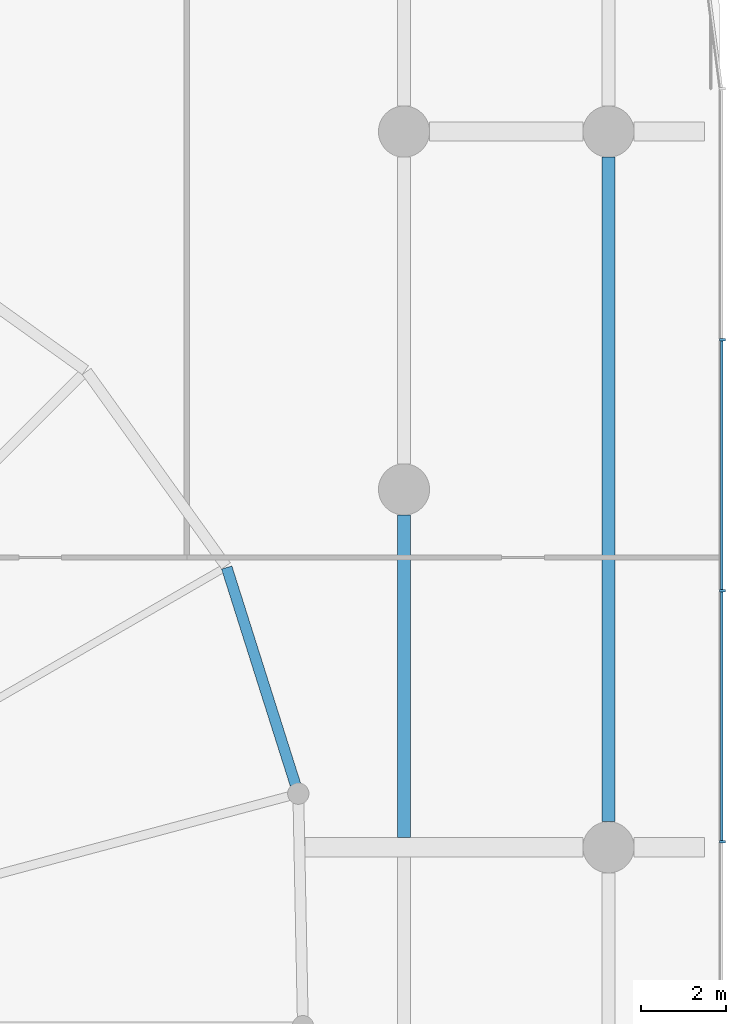
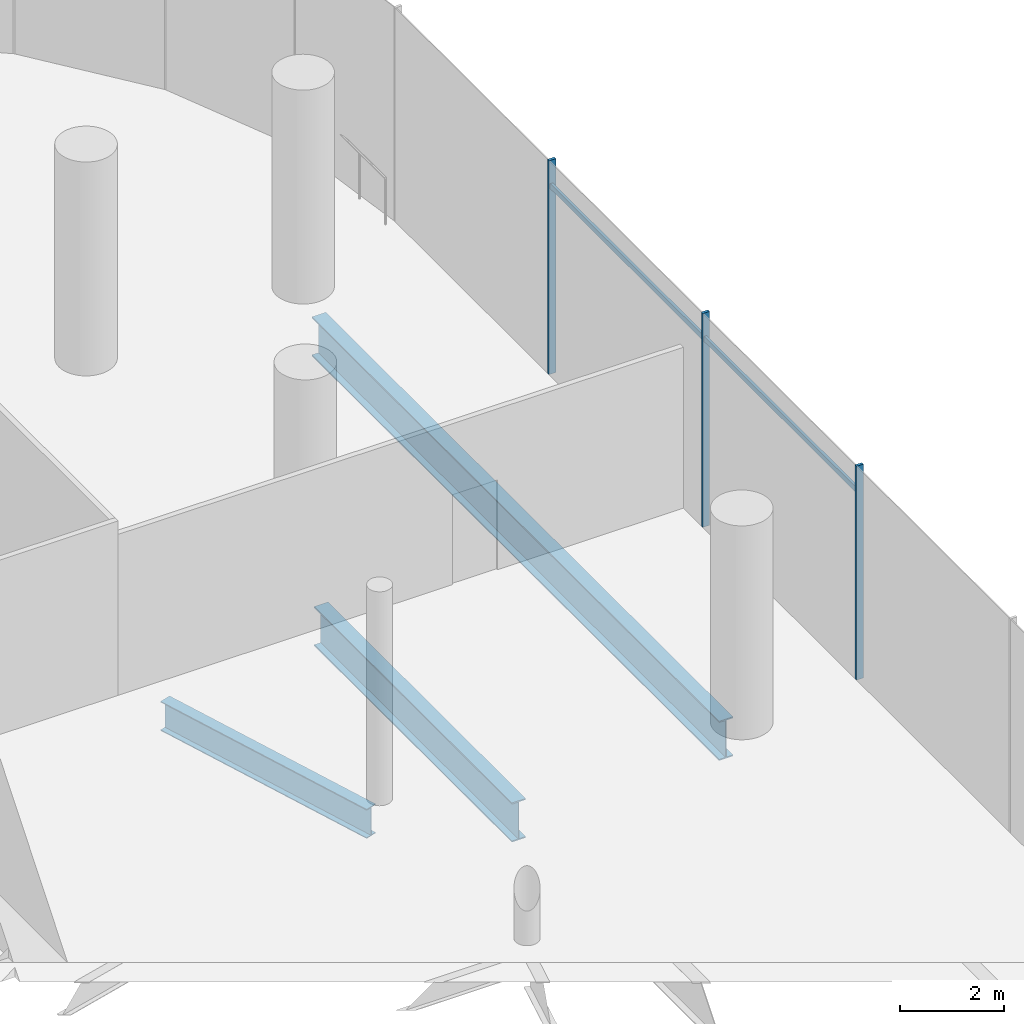
# One storey, part 21 of 51: 5 members, 3 beams, 1 element without a shape of its own.
"""IFC4 building model written with IfcOpenShell, lengths in metres."""

from ifc_helpers import new_model, si_unit, direction, frame, origin, origin_2d, place, context, subcontext, project, spatial, rectangle, i_section, extrude, material, material_profile, profile_set, type_object, element, aggregate, save


model = new_model("IFC4")

# Units and contexts
model_context = context("Model", 3, precision=1e-05, world=origin(), true_north=direction((0.0, 1.0)))
body_context = subcontext(model_context, "Body", "Model", "MODEL_VIEW")
ifc_project = project(units=[si_unit("LENGTHUNIT", "METRE"), si_unit("AREAUNIT", "SQUARE_METRE"), si_unit("VOLUMEUNIT", "CUBIC_METRE"), si_unit("PLANEANGLEUNIT", "RADIAN"), si_unit("MASSUNIT", "GRAM", prefix="KILO")], contexts=[model_context])

# Site, building, storey
site_placement = place(None, origin())
site = spatial("IfcSite", under=ifc_project, at=site_placement, CompositionType="ELEMENT")
building_placement = place(site_placement, origin())
building = spatial("IfcBuilding", under=site, at=building_placement, Name="Rimbun Link Towers", CompositionType="ELEMENT")
storey_placement = place(building_placement, frame((0.0, 0.0, 7.0)))
storey = spatial("IfcBuildingStorey", under=building, at=storey_placement, Name="L01", CompositionType="ELEMENT", Elevation=7.0)

# Curtain wall, members
ifc_material_1 = material(Name="Aluminium 6063-T6 and low-iron glass", Category="aluminium")
curtain_wall_type = type_object("IfcCurtainWallType", Name="CW3 podium shopfront", PredefinedType="NOTDEFINED", material=ifc_material_1)
curtain_wall_placement = place(storey_placement, origin())
curtain_wall = element("IfcCurtainWall", 1, at=curtain_wall_placement, inside=storey, type_object=curtain_wall_type, Name="CW3 L01 PD", PredefinedType="NOTDEFINED")
ifc_material_2 = material(Name="Aluminium 6063-T6", Category="aluminium")
ifc_material_profile_1 = material_profile(ifc_material_2, rectangle(XDim=0.14990234375, YDim=0.06005859375, at=origin_2d()), Name="MULLION 60X150")
ifc_profile_set_1 = profile_set([ifc_material_profile_1], Name="Aluminium 6063-T6")
member_type_1 = type_object("IfcMemberType", Name="CW3 mullion 60X150", PredefinedType="MULLION", material=ifc_profile_set_1)
member_1_placement = place(storey_placement, frame((62.074951171875, 4.333251953125, 0.0), z_axis=(0.0, 0.0, 1.0), x_axis=(1.0, 0.0, 0.0)))
member_1 = element("IfcMember", 2, at=member_1_placement, type_object=member_type_1, Name="CW3 mullion", PredefinedType="MULLION", context=body_context, shape_type="SweptSolid", body=[
    extrude(rectangle(XDim=0.14990234375, YDim=0.06005859375, at=origin_2d()), origin(), (0.0, 0.0, 1.0), 5.0),
])
member_2_placement = place(storey_placement, frame((62.074951171875, 10.22216796875, 0.0), z_axis=(0.0, 0.0, 1.0), x_axis=(1.0, 0.0, 0.0)))
member_2 = element("IfcMember", 3, at=member_2_placement, type_object=member_type_1, Name="CW3 mullion", PredefinedType="MULLION", context=body_context, shape_type="SweptSolid", body=[
    extrude(rectangle(XDim=0.14990234375, YDim=0.06005859375, at=origin_2d()), origin(), (0.0, 0.0, 1.0), 5.0),
])
member_3_placement = place(storey_placement, frame((62.074951171875, 16.111083984375, 0.0), z_axis=(0.0, 0.0, 1.0), x_axis=(1.0, 0.0, 0.0)))
member_3 = element("IfcMember", 4, at=member_3_placement, type_object=member_type_1, Name="CW3 mullion", PredefinedType="MULLION", context=body_context, shape_type="SweptSolid", body=[
    extrude(rectangle(XDim=0.14990234375, YDim=0.06005859375, at=origin_2d()), origin(), (0.0, 0.0, 1.0), 5.0),
])
ifc_material_3 = material(Name="Aluminium 6063-T6", Category="aluminium")
ifc_material_profile_2 = material_profile(ifc_material_3, rectangle(XDim=0.06005859375, YDim=0.1201171875, at=origin_2d()), Name="TRANSOM 60X120")
ifc_profile_set_2 = profile_set([ifc_material_profile_2], Name="Aluminium 6063-T6")
member_type_2 = type_object("IfcMemberType", Name="CW3 transom 60X120", PredefinedType="USERDEFINED", material=ifc_profile_set_2)
member_4_placement = place(storey_placement, frame((62.053955078125, 10.192138671875, 4.39990234375), z_axis=(0.0, -1.0, 0.0), x_axis=(1.0, 0.0, 0.0)))
member_4 = element("IfcMember", 5, at=member_4_placement, type_object=member_type_2, Name="CW3 transom", ObjectType="TRANSOM", PredefinedType="USERDEFINED", context=body_context, shape_type="SweptSolid", body=[
    extrude(rectangle(XDim=0.06005859375, YDim=0.1201171875, at=origin_2d()), origin(), (0.0, 0.0, 1.0), 5.828857421875),
])
member_5_placement = place(storey_placement, frame((62.053955078125, 16.0810546875, 4.39990234375), z_axis=(0.0, -1.0, 0.0), x_axis=(1.0, 0.0, 0.0)))
member_5 = element("IfcMember", 6, at=member_5_placement, type_object=member_type_2, Name="CW3 transom", ObjectType="TRANSOM", PredefinedType="USERDEFINED", context=body_context, shape_type="SweptSolid", body=[
    extrude(rectangle(XDim=0.06005859375, YDim=0.1201171875, at=origin_2d()), origin(), (0.0, 0.0, 1.0), 5.828857421875),
])
aggregate(curtain_wall, [member_1, member_2, member_3, member_4, member_5])

# Beams
ifc_material_4 = material(Name="Steel S355J2", Category="steel")
ifc_material_profile_3 = material_profile(ifc_material_4, i_section(OverallWidth=0.253662109375, OverallDepth=0.68359375, WebThickness=0.012451171875, FlangeThickness=0.01904296875, at=origin_2d()), Name="UB 686x254x140")
ifc_profile_set_3 = profile_set([ifc_material_profile_3], Name="Steel S355J2")
beam_type_1 = type_object("IfcBeamType", Name="UB 686x254x140", PredefinedType="BEAM", material=ifc_profile_set_3)
beam_1_placement = place(storey_placement, frame((52.052001953125, 5.66796875, -0.641845703125), z_axis=(-0.301891704694, 0.953342225351, 0.0), x_axis=(-0.953342225351, -0.301891704694, 0.0)))
element("IfcBeam", 7, at=beam_1_placement, inside=storey, type_object=beam_type_1, Name="Edge beam T2 L01 22", PredefinedType="BEAM", context=body_context, shape_type="SweptSolid", body=[
    extrude(i_section(OverallWidth=0.253662109375, OverallDepth=0.68359375, WebThickness=0.012451171875, FlangeThickness=0.01904296875, at=origin_2d()), origin(), (0.0, 0.0, 1.0), 5.34716796875),
])
ifc_material_5 = material(Name="Steel S355J2", Category="steel")
ifc_material_profile_4 = material_profile(ifc_material_5, i_section(OverallWidth=0.305419921875, OverallDepth=0.91845703125, WebThickness=0.017333984375, FlangeThickness=0.02783203125, at=origin_2d()), Name="UB 914x305x253")
ifc_profile_set_4 = profile_set([ifc_material_profile_4], Name="Steel S355J2")
beam_type_2 = type_object("IfcBeamType", Name="UB 914x305x253", PredefinedType="BEAM", material=ifc_profile_set_4)
beam_2_placement = place(storey_placement, frame((54.60009765625, 4.425048828125, -0.75927734375), z_axis=(0.0, 1.0, 0.0), x_axis=(-1.0, 0.0, 0.0)))
element("IfcBeam", 8, at=beam_2_placement, inside=storey, type_object=beam_type_2, Name="Grid beam L01 +54.6", PredefinedType="BEAM", context=body_context, shape_type="SweptSolid", body=[
    extrude(i_section(OverallWidth=0.305419921875, OverallDepth=0.91845703125, WebThickness=0.017333984375, FlangeThickness=0.02783203125, at=origin_2d()), origin(), (0.0, 0.0, 1.0), 7.574951171875),
])
beam_3_placement = place(storey_placement, frame((59.39990234375, 4.800048828125, -0.75927734375), z_axis=(0.0, 1.0, 0.0), x_axis=(-1.0, 0.0, 0.0)))
element("IfcBeam", 9, at=beam_3_placement, inside=storey, type_object=beam_type_2, Name="Grid beam L01 +59.4", PredefinedType="BEAM", context=body_context, shape_type="SweptSolid", body=[
    extrude(i_section(OverallWidth=0.305419921875, OverallDepth=0.91845703125, WebThickness=0.017333984375, FlangeThickness=0.02783203125, at=origin_2d()), origin(), (0.0, 0.0, 1.0), 15.599853515625),
])

save(model, "model.ifc")
